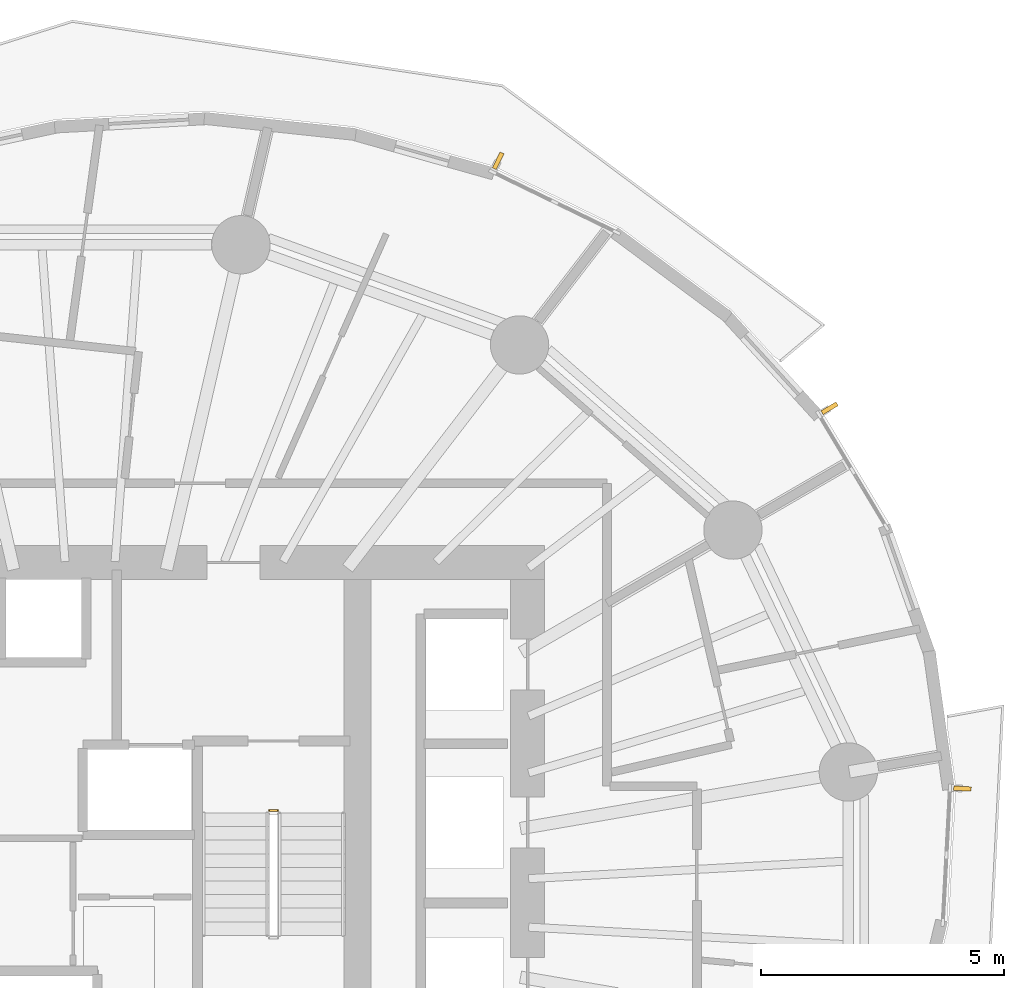
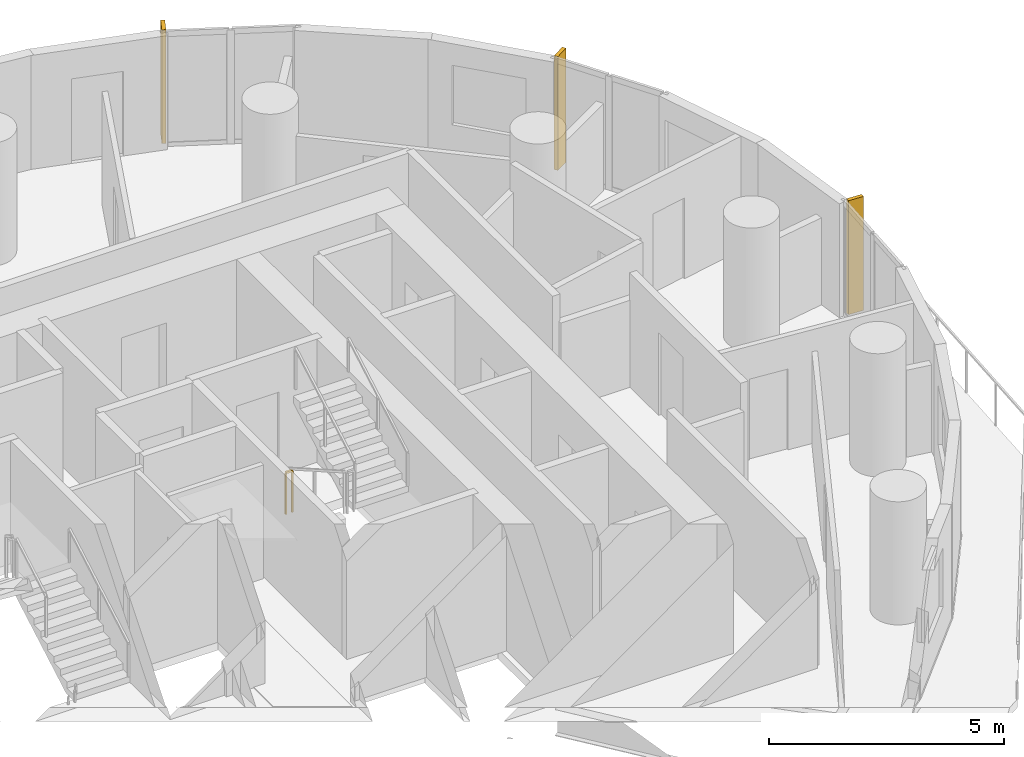
# One storey, part 15 of 15: 3 shading devices, 1 railing.
"""IFC4 building model written with IfcOpenShell, lengths in metres."""

from ifc_helpers import new_model, si_unit, direction, frame, origin, origin_2d, place, context, subcontext, project, spatial, rectangle, extrude, material, layer, layer_set, type_object, element, save


model = new_model("IFC4")

# Units and contexts
model_context = context("Model", 3, precision=1e-05, world=origin(), true_north=direction((0.0, 1.0)))
body_context = subcontext(model_context, "Body", "Model", "MODEL_VIEW")
ifc_project = project(units=[si_unit("LENGTHUNIT", "METRE"), si_unit("AREAUNIT", "SQUARE_METRE"), si_unit("VOLUMEUNIT", "CUBIC_METRE"), si_unit("PLANEANGLEUNIT", "RADIAN"), si_unit("MASSUNIT", "GRAM", prefix="KILO")], contexts=[model_context])

# Site, building, storey
site_placement = place(None, origin())
site = spatial("IfcSite", under=ifc_project, at=site_placement, CompositionType="ELEMENT")
building_placement = place(site_placement, origin())
building = spatial("IfcBuilding", under=site, at=building_placement, Name="Veldorim Arch Residences", CompositionType="ELEMENT")
storey_placement = place(building_placement, frame((0.0, 0.0, 102.8798828125)))
storey = spatial("IfcBuildingStorey", under=building, at=storey_placement, Name="L30", CompositionType="ELEMENT", Elevation=102.8798828125)

# Railing
ifc_material_1 = material(Name="Steel S355", Category="steel")
railing_type = type_object("IfcRailingType", Name="Galvanised Steel Stair Safety Guardrail 1100", PredefinedType="GUARDRAIL", material=ifc_material_1)
railing_placement = place(storey_placement, frame((35.68994140625, 25.89990234375, 0.0)))
element("IfcRailing", 1, at=railing_placement, inside=storey, type_object=railing_type, Name="L30 ST-2 stair guard 4", PredefinedType="GUARDRAIL", context=body_context, shape_type="SweptSolid", body=[
    extrude(rectangle(XDim=0.048095703125, YDim=0.048095703125, at=origin_2d()), frame((0.0, 0.0, 1.076171875), z_axis=(1.0, 0.0, 0.0), x_axis=(0.0, 1.0, 0.0)), (0.0, 0.0, 1.0), 0.16015625),
    extrude(rectangle(XDim=0.0419921875, YDim=0.0419921875, at=origin_2d()), origin(), (0.0, 0.0, 1.0), 1.052001953125),
    extrude(rectangle(XDim=0.0419921875, YDim=0.0419921875, at=origin_2d()), frame((0.16015625, 0.0, 0.0)), (0.0, 0.0, 1.0), 1.052001953125),
])

# Shading devices
ifc_material_2 = material(Name="Terracotta Ceramic", Category="masonry")
ifc_layer = layer(ifc_material_2, 0.090087890625, Name="Vertical Extruded Terracotta Baguette Sun-Shading Fin")
ifc_layer_set = layer_set([ifc_layer], Name="Terracotta Ceramic")
shading_device_type = type_object("IfcShadingDeviceType", Name="Vertical Extruded Terracotta Baguette Sun-Shading Fin", PredefinedType="USERDEFINED", material=ifc_layer_set)
for number, where, z_axis, x_axis, name in (
    (2, (47.209716796875, 34.17236328125, 0.000244140625), (0.0, 0.0, 1.0), (0.514439533782, -0.857526656194, 0.0), "L30 vertical terracotta sun-shading fin 01"),
    (3, (40.393310546875, 39.26220703125, 0.000244140625), (0.0, 0.0, 1.0), (0.899481528961, -0.436958784165, 0.0), "L30 vertical terracotta sun-shading fin 04"),
    (4, (49.941162109375, 26.350830078125, 0.000244140625), (0.0, 0.0, 1.0), (-0.053033118368, -0.998592754007, 0.0), "L30 vertical terracotta sun-shading fin 34"),
):
    element("IfcShadingDevice", number, at=place(storey_placement, frame(where, z_axis=z_axis, x_axis=x_axis)), inside=storey, type_object=shading_device_type, Name=name, ObjectType="FIN", PredefinedType="USERDEFINED", context=body_context, shape_type="SweptSolid", body=[
        extrude(rectangle(XDim=0.090087890625, YDim=0.360107421875, at=origin_2d()), origin(), (0.0, 0.0, 1.0), 2.9599609375),
    ])

save(model, "model.ifc")
